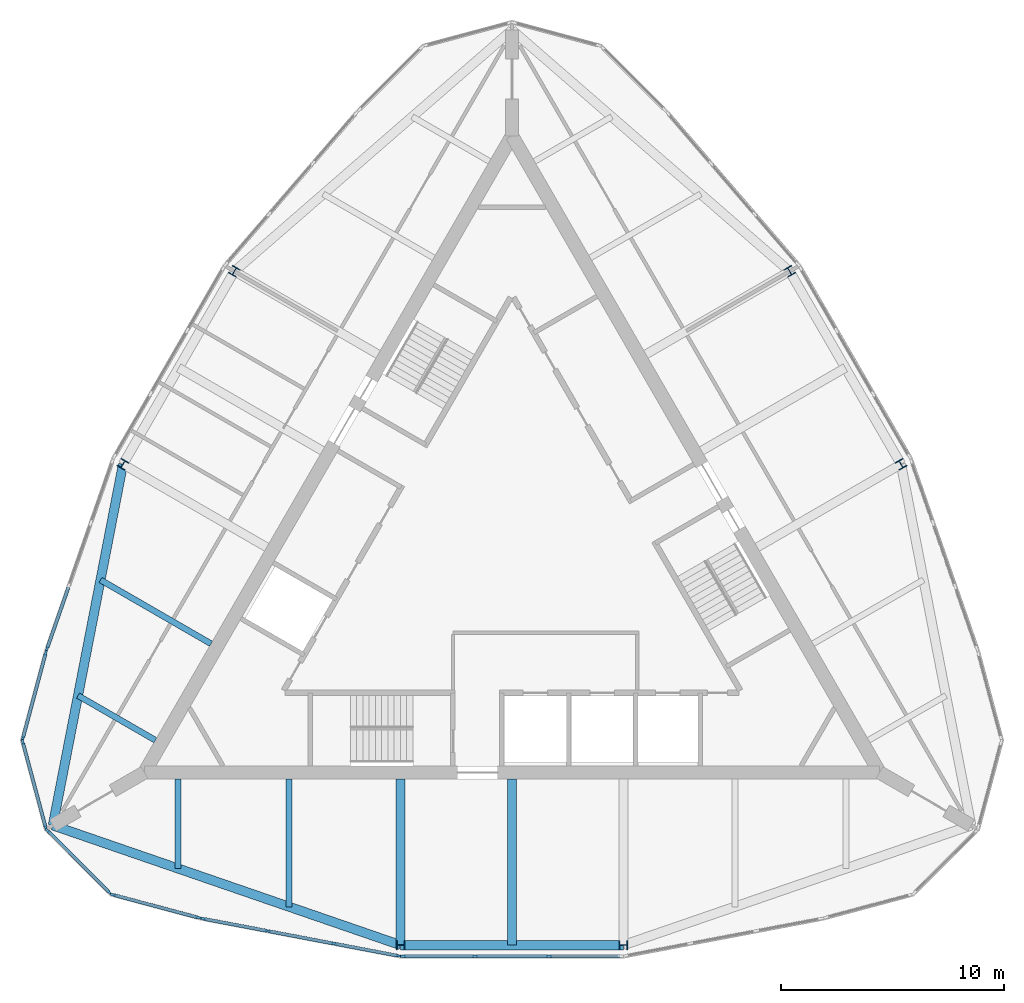
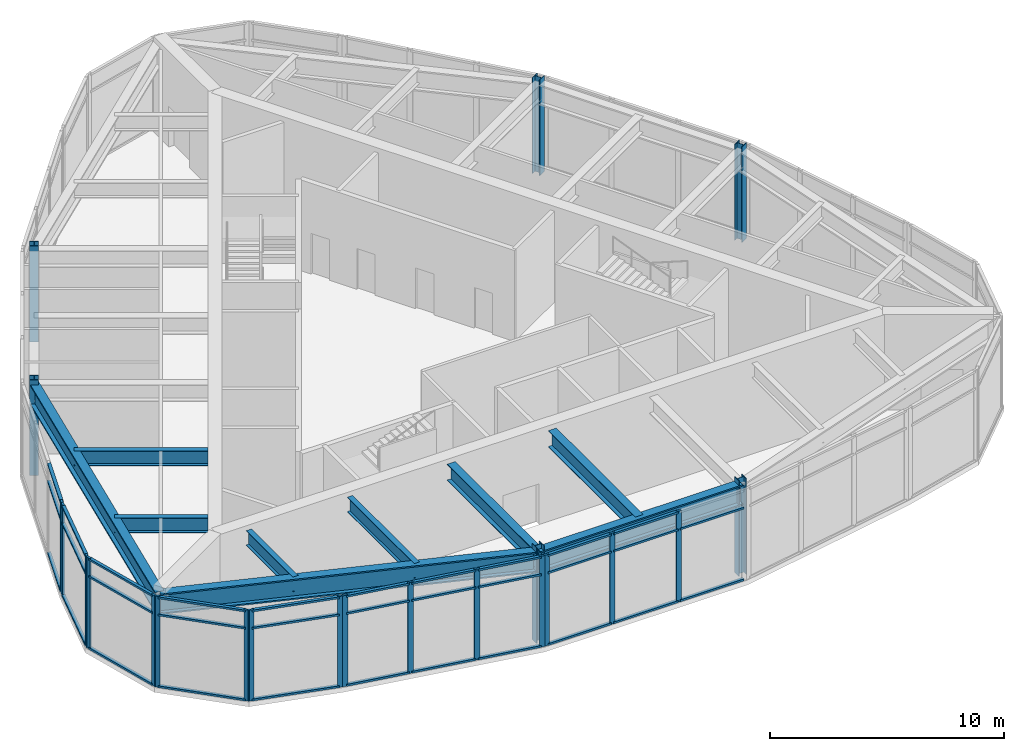
# One storey, part 1 of 9: 48 members, 9 beams, 6 columns, 7 elements without a shape of their own.
"""IFC4 building model written with IfcOpenShell, lengths in metres."""

from ifc_helpers import new_model, si_unit, direction, frame, origin, origin_2d, place, context, subcontext, project, spatial, rectangle, i_section, extrude, material, material_profile, profile_set, type_object, element, aggregate, save


model = new_model("IFC4")

# Units and contexts
model_context = context("Model", 3, precision=1e-05, world=origin(), true_north=direction((0.0, 1.0)))
body_context = subcontext(model_context, "Body", "Model", "MODEL_VIEW")
ifc_project = project(units=[si_unit("LENGTHUNIT", "METRE"), si_unit("AREAUNIT", "SQUARE_METRE"), si_unit("VOLUMEUNIT", "CUBIC_METRE"), si_unit("PLANEANGLEUNIT", "RADIAN"), si_unit("MASSUNIT", "GRAM", prefix="KILO")], contexts=[model_context])

# Site, building, storey
site_placement = place(None, origin())
site = spatial("IfcSite", under=ifc_project, at=site_placement, CompositionType="ELEMENT")
building_placement = place(site_placement, origin())
building = spatial("IfcBuilding", under=site, at=building_placement, Name="Trikona Tower", CompositionType="ELEMENT")
storey_placement = place(building_placement, frame((0.0, 0.0, 292.800048828125)))
storey = spatial("IfcBuildingStorey", under=building, at=storey_placement, Name="L76", CompositionType="ELEMENT", Elevation=292.800048828125)

# Columns
ifc_material_1 = material(Name="Steel ASTM A992 Grade 50", Category="steel")
ifc_material_profile_1 = material_profile(ifc_material_1, i_section(OverallWidth=0.398681640625, OverallDepth=0.385986328125, WebThickness=0.02099609375, FlangeThickness=0.033203125, at=origin_2d()), Name="W14X176")
ifc_profile_set_1 = profile_set([ifc_material_profile_1], Name="Steel ASTM A992 Grade 50")
column_type = type_object("IfcColumnType", Name="Steel column W14x176", PredefinedType="COLUMN", material=ifc_profile_set_1)
for number, where, z_axis, x_axis, name in (
    (1, (-5.0, -17.27587890625, 0.0), (0.0, 0.0, 1.0), (0.0, -1.0, 0.0), "Column F0m5"),
    (2, (5.0, -17.27587890625, 0.0), (0.0, 0.0, 1.0), (0.0, -1.0, 0.0), "Column F0p5"),
    (3, (17.461181640625, 4.307861328125, 0.0), (0.0, 0.0, 1.0), (0.866025403784, 0.5, 0.0), "Column F1m5"),
    (4, (12.461181640625, 12.968017578125, 0.0), (0.0, 0.0, 1.0), (0.866025403784, 0.5, 0.0), "Column F1p5"),
    (5, (-12.461181640625, 12.968017578125, 0.0), (0.0, 0.0, 1.0), (-0.866025403784, 0.5, 0.0), "Column F2m5"),
    (6, (-17.461181640625, 4.307861328125, 0.0), (0.0, 0.0, 1.0), (-0.866025403784, 0.5, 0.0), "Column F2p5"),
):
    element("IfcColumn", number, at=place(storey_placement, frame(where, z_axis=z_axis, x_axis=x_axis)), inside=storey, type_object=column_type, Name=name, PredefinedType="COLUMN", context=body_context, shape_type="SweptSolid", body=[
        extrude(i_section(OverallWidth=0.398681640625, OverallDepth=0.385986328125, WebThickness=0.02099609375, FlangeThickness=0.033203125, at=origin_2d()), origin(), (0.0, 0.0, 1.0), 5.0),
    ])

# Curtain wall, members
ifc_material_2 = material(Name="Aluminium curtain wall system", Category="aluminium")
curtain_wall_type = type_object("IfcCurtainWallType", Name="Curtain wall OB", PredefinedType="NOTDEFINED", material=ifc_material_2)
curtain_wall_1_placement = place(storey_placement, origin())
curtain_wall_1 = element("IfcCurtainWall", 7, at=curtain_wall_1_placement, inside=storey, type_object=curtain_wall_type, Name="Curtain wall OB L76", PredefinedType="NOTDEFINED")
ifc_material_3 = material(Name="Aluminium mullion, pale anodised", Category="aluminium")
ifc_material_profile_2 = material_profile(ifc_material_3, rectangle(XDim=0.10009765625, YDim=0.25, at=origin_2d()), Name="MUL-OB")
ifc_profile_set_2 = profile_set([ifc_material_profile_2], Name="Aluminium mullion, pale anodised")
member_type_1 = type_object("IfcMemberType", Name="Mullion OB 100x250", PredefinedType="MULLION", material=ifc_profile_set_2)
member_1_placement = place(storey_placement, frame((-13.873291015625, -16.088134765625, 0.0), z_axis=(0.0, 0.0, 1.0), x_axis=(0.186660752571, 0.982424431419, 0.0)))
member_1 = element("IfcMember", 8, at=member_1_placement, type_object=member_type_1, Name="CW-OB mullion 1", PredefinedType="MULLION", context=body_context, shape_type="SweptSolid", body=[
    extrude(rectangle(XDim=0.10009765625, YDim=0.25, at=origin_2d()), origin(), (0.0, 0.0, 1.0), 4.75),
])
member_2_placement = place(storey_placement, frame((-10.961669921875, -16.641357421875, 0.0), z_axis=(0.0, 0.0, 1.0), x_axis=(0.186660752571, 0.982424431419, 0.0)))
member_2 = element("IfcMember", 9, at=member_2_placement, type_object=member_type_1, Name="CW-OB mullion 2", PredefinedType="MULLION", context=body_context, shape_type="SweptSolid", body=[
    extrude(rectangle(XDim=0.10009765625, YDim=0.25, at=origin_2d()), origin(), (0.0, 0.0, 1.0), 4.75),
])
member_3_placement = place(storey_placement, frame((-8.0009765625, -17.203857421875, 0.0), z_axis=(0.0, 0.0, 1.0), x_axis=(0.186660752571, 0.982424431419, 0.0)))
member_3 = element("IfcMember", 10, at=member_3_placement, type_object=member_type_1, Name="CW-OB mullion 3", PredefinedType="MULLION", context=body_context, shape_type="SweptSolid", body=[
    extrude(rectangle(XDim=0.10009765625, YDim=0.25, at=origin_2d()), origin(), (0.0, 0.0, 1.0), 4.75),
])
member_4_placement = place(storey_placement, frame((-5.08935546875, -17.757080078125, 0.0), z_axis=(0.0, 0.0, 1.0), x_axis=(0.186660752571, 0.982424431419, 0.0)))
member_4 = element("IfcMember", 11, at=member_4_placement, type_object=member_type_1, Name="CW-OB mullion 4", PredefinedType="MULLION", context=body_context, shape_type="SweptSolid", body=[
    extrude(rectangle(XDim=0.10009765625, YDim=0.25, at=origin_2d()), origin(), (0.0, 0.0, 1.0), 4.75),
])

curtain_wall_2_placement = place(storey_placement, origin())
curtain_wall_2 = element("IfcCurtainWall", 12, at=curtain_wall_2_placement, inside=storey, type_object=curtain_wall_type, Name="Curtain wall OB L76", PredefinedType="NOTDEFINED")
member_5_placement = place(storey_placement, frame((-4.889892578125, -17.77587890625, 0.0), z_axis=(0.0, 0.0, 1.0), x_axis=(0.0, 1.0, 0.0)))
member_5 = element("IfcMember", 13, at=member_5_placement, type_object=member_type_1, Name="CW-OB mullion 1", PredefinedType="MULLION", context=body_context, shape_type="SweptSolid", body=[
    extrude(rectangle(XDim=0.10009765625, YDim=0.25, at=origin_2d()), origin(), (0.0, 0.0, 1.0), 4.75),
])
member_6_placement = place(storey_placement, frame((-1.646728515625, -17.77587890625, 0.0), z_axis=(0.0, 0.0, 1.0), x_axis=(0.0, 1.0, 0.0)))
member_6 = element("IfcMember", 14, at=member_6_placement, type_object=member_type_1, Name="CW-OB mullion 2", PredefinedType="MULLION", context=body_context, shape_type="SweptSolid", body=[
    extrude(rectangle(XDim=0.10009765625, YDim=0.25, at=origin_2d()), origin(), (0.0, 0.0, 1.0), 4.75),
])
member_7_placement = place(storey_placement, frame((1.646728515625, -17.77587890625, 0.0), z_axis=(0.0, 0.0, 1.0), x_axis=(0.0, 1.0, 0.0)))
member_7 = element("IfcMember", 15, at=member_7_placement, type_object=member_type_1, Name="CW-OB mullion 3", PredefinedType="MULLION", context=body_context, shape_type="SweptSolid", body=[
    extrude(rectangle(XDim=0.10009765625, YDim=0.25, at=origin_2d()), origin(), (0.0, 0.0, 1.0), 4.75),
])

# Curtain wall, member
curtain_wall_3_placement = place(storey_placement, origin())
curtain_wall_3 = element("IfcCurtainWall", 16, at=curtain_wall_3_placement, inside=storey, type_object=curtain_wall_type, Name="Curtain wall OB L76", PredefinedType="NOTDEFINED")
member_8_placement = place(storey_placement, frame((-20.869384765625, -3.970703125, 0.0), z_axis=(0.0, 0.0, 1.0), x_axis=(0.944137368145, -0.329552165935, 0.0)))
member_8 = element("IfcMember", 17, at=member_8_placement, type_object=member_type_1, Name="CW-OB mullion 4", PredefinedType="MULLION", context=body_context, shape_type="SweptSolid", body=[
    extrude(rectangle(XDim=0.10009765625, YDim=0.25, at=origin_2d()), origin(), (0.0, 0.0, 1.0), 4.75),
])

# Curtain wall, members
curtain_wall_4_placement = place(storey_placement, origin())
curtain_wall_4 = element("IfcCurtainWall", 18, at=curtain_wall_4_placement, inside=storey, type_object=curtain_wall_type, Name="Curtain wall OB L76", PredefinedType="NOTDEFINED")
member_9_placement = place(storey_placement, frame((-20.931884765625, -4.173583984375, 0.0), z_axis=(0.0, 0.0, 1.0), x_axis=(0.965921800259, -0.258834069983, 0.0)))
member_9 = element("IfcMember", 19, at=member_9_placement, type_object=member_type_1, Name="CW-OB mullion 1", PredefinedType="MULLION", context=body_context, shape_type="SweptSolid", body=[
    extrude(rectangle(XDim=0.10009765625, YDim=0.25, at=origin_2d()), origin(), (0.0, 0.0, 1.0), 4.75),
])
member_10_placement = place(storey_placement, frame((-21.957763671875, -8.00244140625, 0.0), z_axis=(0.0, 0.0, 1.0), x_axis=(0.965921800259, -0.258834069983, 0.0)))
member_10 = element("IfcMember", 20, at=member_10_placement, type_object=member_type_1, Name="CW-OB mullion 2", PredefinedType="MULLION", context=body_context, shape_type="SweptSolid", body=[
    extrude(rectangle(XDim=0.10009765625, YDim=0.25, at=origin_2d()), origin(), (0.0, 0.0, 1.0), 4.75),
])

curtain_wall_5_placement = place(storey_placement, origin())
curtain_wall_5 = element("IfcCurtainWall", 21, at=curtain_wall_5_placement, inside=storey, type_object=curtain_wall_type, Name="Curtain wall OB L76", PredefinedType="NOTDEFINED")
member_11_placement = place(storey_placement, frame((-21.957763671875, -8.163330078125, 0.0), z_axis=(0.0, 0.0, 1.0), x_axis=(0.965923448705, 0.258827918204, 0.0)))
member_11 = element("IfcMember", 22, at=member_11_placement, type_object=member_type_1, Name="CW-OB mullion 1", PredefinedType="MULLION", context=body_context, shape_type="SweptSolid", body=[
    extrude(rectangle(XDim=0.10009765625, YDim=0.25, at=origin_2d()), origin(), (0.0, 0.0, 1.0), 4.75),
])
member_12_placement = place(storey_placement, frame((-20.931884765625, -11.9921875, 0.0), z_axis=(0.0, 0.0, 1.0), x_axis=(0.965923448705, 0.258827918204, 0.0)))
member_12 = element("IfcMember", 23, at=member_12_placement, type_object=member_type_1, Name="CW-OB mullion 2", PredefinedType="MULLION", context=body_context, shape_type="SweptSolid", body=[
    extrude(rectangle(XDim=0.10009765625, YDim=0.25, at=origin_2d()), origin(), (0.0, 0.0, 1.0), 4.75),
])

curtain_wall_6_placement = place(storey_placement, origin())
curtain_wall_6 = element("IfcCurtainWall", 24, at=curtain_wall_6_placement, inside=storey, type_object=curtain_wall_type, Name="Curtain wall OB L76", PredefinedType="NOTDEFINED")
member_13_placement = place(storey_placement, frame((-20.8515625, -12.13134765625, 0.0), z_axis=(0.0, 0.0, 1.0), x_axis=(0.707106781187, 0.707106781187, 0.0)))
member_13 = element("IfcMember", 25, at=member_13_placement, type_object=member_type_1, Name="CW-OB mullion 1", PredefinedType="MULLION", context=body_context, shape_type="SweptSolid", body=[
    extrude(rectangle(XDim=0.10009765625, YDim=0.25, at=origin_2d()), origin(), (0.0, 0.0, 1.0), 4.75),
])
member_14_placement = place(storey_placement, frame((-18.048583984375, -14.934326171875, 0.0), z_axis=(0.0, 0.0, 1.0), x_axis=(0.707106781187, 0.707106781187, 0.0)))
member_14 = element("IfcMember", 26, at=member_14_placement, type_object=member_type_1, Name="CW-OB mullion 2", PredefinedType="MULLION", context=body_context, shape_type="SweptSolid", body=[
    extrude(rectangle(XDim=0.10009765625, YDim=0.25, at=origin_2d()), origin(), (0.0, 0.0, 1.0), 4.75),
])

curtain_wall_7_placement = place(storey_placement, origin())
curtain_wall_7 = element("IfcCurtainWall", 27, at=curtain_wall_7_placement, inside=storey, type_object=curtain_wall_type, Name="Curtain wall OB L76", PredefinedType="NOTDEFINED")
member_15_placement = place(storey_placement, frame((-17.909423828125, -15.0146484375, 0.0), z_axis=(0.0, 0.0, 1.0), x_axis=(0.258827918204, 0.965923448705, 0.0)))
member_15 = element("IfcMember", 28, at=member_15_placement, type_object=member_type_1, Name="CW-OB mullion 1", PredefinedType="MULLION", context=body_context, shape_type="SweptSolid", body=[
    extrude(rectangle(XDim=0.10009765625, YDim=0.25, at=origin_2d()), origin(), (0.0, 0.0, 1.0), 4.75),
])
member_16_placement = place(storey_placement, frame((-14.080322265625, -16.040771484375, 0.0), z_axis=(0.0, 0.0, 1.0), x_axis=(0.258827918204, 0.965923448705, 0.0)))
member_16 = element("IfcMember", 29, at=member_16_placement, type_object=member_type_1, Name="CW-OB mullion 2", PredefinedType="MULLION", context=body_context, shape_type="SweptSolid", body=[
    extrude(rectangle(XDim=0.10009765625, YDim=0.25, at=origin_2d()), origin(), (0.0, 0.0, 1.0), 4.75),
])

# Beams
ifc_material_4 = material(Name="Steel ASTM A992 Grade 50", Category="steel")
ifc_material_profile_3 = material_profile(ifc_material_4, i_section(OverallWidth=0.2666015625, OverallDepth=0.76953125, WebThickness=0.015625, FlangeThickness=0.025390625, at=origin_2d()), Name="W30X132")
ifc_profile_set_3 = profile_set([ifc_material_profile_3], Name="Steel ASTM A992 Grade 50")
beam_type_1 = type_object("IfcBeamType", Name="Steel beam W30x132 (wedge)", PredefinedType="BEAM", material=ifc_profile_set_3)
beam_1_placement = place(storey_placement, frame((-15.0, -9.826416015625, 4.365234375), z_axis=(0.0, -1.0, 0.0), x_axis=(1.0, 0.0, 0.0)))
element("IfcBeam", 30, at=beam_1_placement, inside=storey, type_object=beam_type_1, Name="Floor beam L77 F1 u-15", PredefinedType="BEAM", context=body_context, shape_type="SweptSolid", body=[
    extrude(i_section(OverallWidth=0.2666015625, OverallDepth=0.76953125, WebThickness=0.015625, FlangeThickness=0.025390625, at=origin_2d()), origin(), (0.0, 0.0, 1.0), 4.005126953125),
])
beam_2_placement = place(storey_placement, frame((-10.0, -9.826416015625, 4.365234375), z_axis=(0.0, -1.0, 0.0), x_axis=(1.0, 0.0, 0.0)))
element("IfcBeam", 31, at=beam_2_placement, inside=storey, type_object=beam_type_1, Name="Floor beam L77 F1 u-10", PredefinedType="BEAM", context=body_context, shape_type="SweptSolid", body=[
    extrude(i_section(OverallWidth=0.2666015625, OverallDepth=0.76953125, WebThickness=0.015625, FlangeThickness=0.025390625, at=origin_2d()), origin(), (0.0, 0.0, 1.0), 5.727294921875),
])
beam_3_placement = place(storey_placement, frame((-13.509765625, -3.7470703125, 4.365234375), z_axis=(-0.866025872957, 0.499999187369, 0.0), x_axis=(-0.499999187369, -0.866025872957, 0.0)))
element("IfcBeam", 32, at=beam_3_placement, inside=storey, type_object=beam_type_1, Name="Floor beam L77 F3 u10", PredefinedType="BEAM", context=body_context, shape_type="SweptSolid", body=[
    extrude(i_section(OverallWidth=0.2666015625, OverallDepth=0.76953125, WebThickness=0.015625, FlangeThickness=0.025390625, at=origin_2d()), origin(), (0.0, 0.0, 1.0), 5.7275390625),
])
beam_4_placement = place(storey_placement, frame((-16.009765625, -8.077392578125, 4.365234375), z_axis=(-0.866025209122, 0.500000337164, 0.0), x_axis=(-0.500000337164, -0.866025209122, 0.0)))
element("IfcBeam", 33, at=beam_4_placement, inside=storey, type_object=beam_type_1, Name="Floor beam L77 F3 u15", PredefinedType="BEAM", context=body_context, shape_type="SweptSolid", body=[
    extrude(i_section(OverallWidth=0.2666015625, OverallDepth=0.76953125, WebThickness=0.015625, FlangeThickness=0.025390625, at=origin_2d()), origin(), (0.0, 0.0, 1.0), 4.00537109375),
])
ifc_material_5 = material(Name="Steel ASTM A992 Grade 50", Category="steel")
ifc_material_profile_4 = material_profile(ifc_material_5, i_section(OverallWidth=0.398681640625, OverallDepth=0.85595703125, WebThickness=0.01806640625, FlangeThickness=0.029296875, at=origin_2d()), Name="W33X201")
ifc_profile_set_4 = profile_set([ifc_material_profile_4], Name="Steel ASTM A992 Grade 50")
beam_type_2 = type_object("IfcBeamType", Name="Steel beam W33x201 (top)", PredefinedType="BEAM", material=ifc_profile_set_4)
for number, where, z_axis, x_axis, name in (
    (34, (-5.0, -9.826416015625, 4.322021484375), (0.0, -1.0, 0.0), (1.0, 0.0, 0.0), "Floor beam L77 F1 u-5"),
    (35, (0.0, -9.826416015625, 4.322021484375), (0.0, -1.0, 0.0), (1.0, 0.0, 0.0), "Floor beam L77 F1 u0"),
):
    element("IfcBeam", number, at=place(storey_placement, frame(where, z_axis=z_axis, x_axis=x_axis)), inside=storey, type_object=beam_type_2, Name=name, PredefinedType="BEAM", context=body_context, shape_type="SweptSolid", body=[
        extrude(i_section(OverallWidth=0.398681640625, OverallDepth=0.85595703125, WebThickness=0.01806640625, FlangeThickness=0.029296875, at=origin_2d()), origin(), (0.0, 0.0, 1.0), 7.449462890625),
    ])
ifc_material_6 = material(Name="Steel ASTM A992 Grade 50", Category="steel")
ifc_material_profile_5 = material_profile(ifc_material_6, i_section(OverallWidth=0.41650390625, OverallDepth=1.0693359375, WebThickness=0.0390625, FlangeThickness=0.070068359375, at=origin_2d()), Name="W40X503")
ifc_profile_set_5 = profile_set([ifc_material_profile_5], Name="Steel ASTM A992 Grade 50")
beam_type_3 = type_object("IfcBeamType", Name="Steel beam W40x503 (crown spandrel)", PredefinedType="SPANDREL", material=ifc_profile_set_5)
beam_5_placement = place(storey_placement, frame((-20.6103515625, -11.8994140625, 4.21533203125), z_axis=(0.945492661054, -0.325643406033, 0.0), x_axis=(0.325643406033, 0.945492661054, 0.0)))
element("IfcBeam", 36, at=beam_5_placement, inside=storey, type_object=beam_type_3, Name="Spandrel beam L77 F1-1", PredefinedType="SPANDREL", context=body_context, shape_type="SweptSolid", body=[
    extrude(i_section(OverallWidth=0.41650390625, OverallDepth=1.0693359375, WebThickness=0.0390625, FlangeThickness=0.070068359375, at=origin_2d()), origin(), (0.0, 0.0, 1.0), 16.51025390625),
])
beam_6_placement = place(storey_placement, frame((-5.0, -17.27587890625, 4.21533203125), z_axis=(1.0, 0.0, 0.0), x_axis=(0.0, 1.0, 0.0)))
element("IfcBeam", 37, at=beam_6_placement, inside=storey, type_object=beam_type_3, Name="Spandrel beam L77 F1-2", PredefinedType="SPANDREL", context=body_context, shape_type="SweptSolid", body=[
    extrude(i_section(OverallWidth=0.41650390625, OverallDepth=1.0693359375, WebThickness=0.0390625, FlangeThickness=0.070068359375, at=origin_2d()), origin(), (0.0, 0.0, 1.0), 10.0),
])
beam_7_placement = place(storey_placement, frame((-17.461181640625, 4.307861328125, 4.21533203125), z_axis=(-0.190738651496, -0.981640854297, 0.0), x_axis=(0.981640854297, -0.190738651496, 0.0)))
element("IfcBeam", 38, at=beam_7_placement, inside=storey, type_object=beam_type_3, Name="Spandrel beam L77 F3-3", PredefinedType="SPANDREL", context=body_context, shape_type="SweptSolid", body=[
    extrude(i_section(OverallWidth=0.41650390625, OverallDepth=1.0693359375, WebThickness=0.0390625, FlangeThickness=0.070068359375, at=origin_2d()), origin(), (0.0, 0.0, 1.0), 16.510498046875),
])

# Member
ifc_material_7 = material(Name="Aluminium transom, pale anodised", Category="aluminium")
ifc_material_profile_6 = material_profile(ifc_material_7, rectangle(XDim=0.14990234375, YDim=0.10009765625, at=origin_2d()), Name="TRN-OB")
ifc_profile_set_6 = profile_set([ifc_material_profile_6], Name="Aluminium transom, pale anodised")
member_type_2 = type_object("IfcMemberType", Name="Transom OB 100x150", PredefinedType="USERDEFINED", material=ifc_profile_set_6)
member_17_placement = place(storey_placement, frame((-13.82421875, -16.097412109375, 0.050048828125), z_axis=(0.982417572475, -0.186696848639, 0.0), x_axis=(0.186696848639, 0.982417572475, 0.0)))
member_17 = element("IfcMember", 39, at=member_17_placement, type_object=member_type_2, Name="CW-OB transom 1.1", ObjectType="TRANSOM", PredefinedType="USERDEFINED", context=body_context, shape_type="SweptSolid", body=[
    extrude(rectangle(XDim=0.14990234375, YDim=0.10009765625, at=origin_2d()), origin(), (0.0, 0.0, 1.0), 2.86376953125),
])

member_18_placement = place(storey_placement, frame((-13.82421875, -16.097412109375, 3.800048828125), z_axis=(0.982417572475, -0.186696848639, 0.0), x_axis=(0.186696848639, 0.982417572475, 0.0)))
member_18 = element("IfcMember", 40, at=member_18_placement, type_object=member_type_2, Name="CW-OB transom 1.2", ObjectType="TRANSOM", PredefinedType="USERDEFINED", context=body_context, shape_type="SweptSolid", body=[
    extrude(rectangle(XDim=0.14990234375, YDim=0.10009765625, at=origin_2d()), origin(), (0.0, 0.0, 1.0), 2.86376953125),
])

member_19_placement = place(storey_placement, frame((-13.82421875, -16.097412109375, 4.699951171875), z_axis=(0.982417572475, -0.186696848639, 0.0), x_axis=(0.186696848639, 0.982417572475, 0.0)))
member_19 = element("IfcMember", 41, at=member_19_placement, type_object=member_type_2, Name="CW-OB transom 1.3", ObjectType="TRANSOM", PredefinedType="USERDEFINED", context=body_context, shape_type="SweptSolid", body=[
    extrude(rectangle(XDim=0.14990234375, YDim=0.10009765625, at=origin_2d()), origin(), (0.0, 0.0, 1.0), 2.86376953125),
])

member_20_placement = place(storey_placement, frame((-10.91259765625, -16.650634765625, 0.050048828125), z_axis=(0.982420610208, -0.186680863074, 0.0), x_axis=(0.186680863074, 0.982420610208, 0.0)))
member_20 = element("IfcMember", 42, at=member_20_placement, type_object=member_type_2, Name="CW-OB transom 2.1", ObjectType="TRANSOM", PredefinedType="USERDEFINED", context=body_context, shape_type="SweptSolid", body=[
    extrude(rectangle(XDim=0.14990234375, YDim=0.10009765625, at=origin_2d()), origin(), (0.0, 0.0, 1.0), 2.913818359375),
])

member_21_placement = place(storey_placement, frame((-10.91259765625, -16.650634765625, 3.800048828125), z_axis=(0.982420610208, -0.186680863074, 0.0), x_axis=(0.186680863074, 0.982420610208, 0.0)))
member_21 = element("IfcMember", 43, at=member_21_placement, type_object=member_type_2, Name="CW-OB transom 2.2", ObjectType="TRANSOM", PredefinedType="USERDEFINED", context=body_context, shape_type="SweptSolid", body=[
    extrude(rectangle(XDim=0.14990234375, YDim=0.10009765625, at=origin_2d()), origin(), (0.0, 0.0, 1.0), 2.913818359375),
])

member_22_placement = place(storey_placement, frame((-10.91259765625, -16.650634765625, 4.699951171875), z_axis=(0.982420610208, -0.186680863074, 0.0), x_axis=(0.186680863074, 0.982420610208, 0.0)))
member_22 = element("IfcMember", 44, at=member_22_placement, type_object=member_type_2, Name="CW-OB transom 2.3", ObjectType="TRANSOM", PredefinedType="USERDEFINED", context=body_context, shape_type="SweptSolid", body=[
    extrude(rectangle(XDim=0.14990234375, YDim=0.10009765625, at=origin_2d()), origin(), (0.0, 0.0, 1.0), 2.913818359375),
])

member_23_placement = place(storey_placement, frame((-7.951904296875, -17.213134765625, 0.050048828125), z_axis=(0.982417572475, -0.186696848639, 0.0), x_axis=(0.186696848639, 0.982417572475, 0.0)))
member_23 = element("IfcMember", 45, at=member_23_placement, type_object=member_type_2, Name="CW-OB transom 3.1", ObjectType="TRANSOM", PredefinedType="USERDEFINED", context=body_context, shape_type="SweptSolid", body=[
    extrude(rectangle(XDim=0.14990234375, YDim=0.10009765625, at=origin_2d()), origin(), (0.0, 0.0, 1.0), 2.86376953125),
])

member_24_placement = place(storey_placement, frame((-7.951904296875, -17.213134765625, 3.800048828125), z_axis=(0.982417572475, -0.186696848639, 0.0), x_axis=(0.186696848639, 0.982417572475, 0.0)))
member_24 = element("IfcMember", 46, at=member_24_placement, type_object=member_type_2, Name="CW-OB transom 3.2", ObjectType="TRANSOM", PredefinedType="USERDEFINED", context=body_context, shape_type="SweptSolid", body=[
    extrude(rectangle(XDim=0.14990234375, YDim=0.10009765625, at=origin_2d()), origin(), (0.0, 0.0, 1.0), 2.86376953125),
])

member_25_placement = place(storey_placement, frame((-7.951904296875, -17.213134765625, 4.699951171875), z_axis=(0.982417572475, -0.186696848639, 0.0), x_axis=(0.186696848639, 0.982417572475, 0.0)))
member_25 = element("IfcMember", 47, at=member_25_placement, type_object=member_type_2, Name="CW-OB transom 3.3", ObjectType="TRANSOM", PredefinedType="USERDEFINED", context=body_context, shape_type="SweptSolid", body=[
    extrude(rectangle(XDim=0.14990234375, YDim=0.10009765625, at=origin_2d()), origin(), (0.0, 0.0, 1.0), 2.86376953125),
])

aggregate(curtain_wall_1, [member_1, member_2, member_3, member_4, member_17, member_18, member_19, member_20, member_21, member_22, member_23, member_24, member_25])

member_26_placement = place(storey_placement, frame((-4.840087890625, -17.77587890625, 0.050048828125), z_axis=(1.0, 0.0, 0.0), x_axis=(0.0, 1.0, 0.0)))
member_26 = element("IfcMember", 48, at=member_26_placement, type_object=member_type_2, Name="CW-OB transom 1.1", ObjectType="TRANSOM", PredefinedType="USERDEFINED", context=body_context, shape_type="SweptSolid", body=[
    extrude(rectangle(XDim=0.14990234375, YDim=0.10009765625, at=origin_2d()), origin(), (0.0, 0.0, 1.0), 3.143310546875),
])

member_27_placement = place(storey_placement, frame((-4.840087890625, -17.77587890625, 3.800048828125), z_axis=(1.0, 0.0, 0.0), x_axis=(0.0, 1.0, 0.0)))
member_27 = element("IfcMember", 49, at=member_27_placement, type_object=member_type_2, Name="CW-OB transom 1.2", ObjectType="TRANSOM", PredefinedType="USERDEFINED", context=body_context, shape_type="SweptSolid", body=[
    extrude(rectangle(XDim=0.14990234375, YDim=0.10009765625, at=origin_2d()), origin(), (0.0, 0.0, 1.0), 3.143310546875),
])

member_28_placement = place(storey_placement, frame((-4.840087890625, -17.77587890625, 4.699951171875), z_axis=(1.0, 0.0, 0.0), x_axis=(0.0, 1.0, 0.0)))
member_28 = element("IfcMember", 50, at=member_28_placement, type_object=member_type_2, Name="CW-OB transom 1.3", ObjectType="TRANSOM", PredefinedType="USERDEFINED", context=body_context, shape_type="SweptSolid", body=[
    extrude(rectangle(XDim=0.14990234375, YDim=0.10009765625, at=origin_2d()), origin(), (0.0, 0.0, 1.0), 3.143310546875),
])

member_29_placement = place(storey_placement, frame((-1.5966796875, -17.77587890625, 0.050048828125), z_axis=(1.0, 0.0, 0.0), x_axis=(0.0, 1.0, 0.0)))
member_29 = element("IfcMember", 51, at=member_29_placement, type_object=member_type_2, Name="CW-OB transom 2.1", ObjectType="TRANSOM", PredefinedType="USERDEFINED", context=body_context, shape_type="SweptSolid", body=[
    extrude(rectangle(XDim=0.14990234375, YDim=0.10009765625, at=origin_2d()), origin(), (0.0, 0.0, 1.0), 3.193359375),
])

member_30_placement = place(storey_placement, frame((-1.5966796875, -17.77587890625, 3.800048828125), z_axis=(1.0, 0.0, 0.0), x_axis=(0.0, 1.0, 0.0)))
member_30 = element("IfcMember", 52, at=member_30_placement, type_object=member_type_2, Name="CW-OB transom 2.2", ObjectType="TRANSOM", PredefinedType="USERDEFINED", context=body_context, shape_type="SweptSolid", body=[
    extrude(rectangle(XDim=0.14990234375, YDim=0.10009765625, at=origin_2d()), origin(), (0.0, 0.0, 1.0), 3.193359375),
])

member_31_placement = place(storey_placement, frame((-1.5966796875, -17.77587890625, 4.699951171875), z_axis=(1.0, 0.0, 0.0), x_axis=(0.0, 1.0, 0.0)))
member_31 = element("IfcMember", 53, at=member_31_placement, type_object=member_type_2, Name="CW-OB transom 2.3", ObjectType="TRANSOM", PredefinedType="USERDEFINED", context=body_context, shape_type="SweptSolid", body=[
    extrude(rectangle(XDim=0.14990234375, YDim=0.10009765625, at=origin_2d()), origin(), (0.0, 0.0, 1.0), 3.193359375),
])

member_32_placement = place(storey_placement, frame((1.69677734375, -17.77587890625, 0.050048828125), z_axis=(1.0, 0.0, 0.0), x_axis=(0.0, 1.0, 0.0)))
member_32 = element("IfcMember", 54, at=member_32_placement, type_object=member_type_2, Name="CW-OB transom 3.1", ObjectType="TRANSOM", PredefinedType="USERDEFINED", context=body_context, shape_type="SweptSolid", body=[
    extrude(rectangle(XDim=0.14990234375, YDim=0.10009765625, at=origin_2d()), origin(), (0.0, 0.0, 1.0), 3.143310546875),
])

member_33_placement = place(storey_placement, frame((1.69677734375, -17.77587890625, 3.800048828125), z_axis=(1.0, 0.0, 0.0), x_axis=(0.0, 1.0, 0.0)))
member_33 = element("IfcMember", 55, at=member_33_placement, type_object=member_type_2, Name="CW-OB transom 3.2", ObjectType="TRANSOM", PredefinedType="USERDEFINED", context=body_context, shape_type="SweptSolid", body=[
    extrude(rectangle(XDim=0.14990234375, YDim=0.10009765625, at=origin_2d()), origin(), (0.0, 0.0, 1.0), 3.143310546875),
])

aggregate(curtain_wall_2, [member_5, member_6, member_7, member_26, member_27, member_28, member_29, member_30, member_31, member_32, member_33])

member_34_placement = place(storey_placement, frame((-19.9091796875, -1.2197265625, 0.050048828125), z_axis=(-0.329522402008, -0.944147756749, 0.0), x_axis=(0.944147756749, -0.329522402008, 0.0)))
member_34 = element("IfcMember", 56, at=member_34_placement, type_object=member_type_2, Name="CW-OB transom 3.1", ObjectType="TRANSOM", PredefinedType="USERDEFINED", context=body_context, shape_type="SweptSolid", body=[
    extrude(rectangle(XDim=0.14990234375, YDim=0.10009765625, at=origin_2d()), origin(), (0.0, 0.0, 1.0), 2.863525390625),
])

member_35_placement = place(storey_placement, frame((-19.9091796875, -1.2197265625, 3.800048828125), z_axis=(-0.329522402008, -0.944147756749, 0.0), x_axis=(0.944147756749, -0.329522402008, 0.0)))
member_35 = element("IfcMember", 57, at=member_35_placement, type_object=member_type_2, Name="CW-OB transom 3.2", ObjectType="TRANSOM", PredefinedType="USERDEFINED", context=body_context, shape_type="SweptSolid", body=[
    extrude(rectangle(XDim=0.14990234375, YDim=0.10009765625, at=origin_2d()), origin(), (0.0, 0.0, 1.0), 2.863525390625),
])

member_36_placement = place(storey_placement, frame((-19.9091796875, -1.2197265625, 4.699951171875), z_axis=(-0.329522402008, -0.944147756749, 0.0), x_axis=(0.944147756749, -0.329522402008, 0.0)))
member_36 = element("IfcMember", 58, at=member_36_placement, type_object=member_type_2, Name="CW-OB transom 3.3", ObjectType="TRANSOM", PredefinedType="USERDEFINED", context=body_context, shape_type="SweptSolid", body=[
    extrude(rectangle(XDim=0.14990234375, YDim=0.10009765625, at=origin_2d()), origin(), (0.0, 0.0, 1.0), 2.863525390625),
])

aggregate(curtain_wall_3, [member_8, member_34, member_35, member_36])

member_37_placement = place(storey_placement, frame((-20.94482421875, -4.221923828125, 0.050048828125), z_axis=(-0.258810832585, -0.965928026789, 0.0), x_axis=(0.965928026789, -0.258810832585, 0.0)))
member_37 = element("IfcMember", 59, at=member_37_placement, type_object=member_type_2, Name="CW-OB transom 1.1", ObjectType="TRANSOM", PredefinedType="USERDEFINED", context=body_context, shape_type="SweptSolid", body=[
    extrude(rectangle(XDim=0.14990234375, YDim=0.10009765625, at=origin_2d()), origin(), (0.0, 0.0, 1.0), 3.86376953125),
])

member_38_placement = place(storey_placement, frame((-20.94482421875, -4.221923828125, 3.800048828125), z_axis=(-0.258810832585, -0.965928026789, 0.0), x_axis=(0.965928026789, -0.258810832585, 0.0)))
member_38 = element("IfcMember", 60, at=member_38_placement, type_object=member_type_2, Name="CW-OB transom 1.2", ObjectType="TRANSOM", PredefinedType="USERDEFINED", context=body_context, shape_type="SweptSolid", body=[
    extrude(rectangle(XDim=0.14990234375, YDim=0.10009765625, at=origin_2d()), origin(), (0.0, 0.0, 1.0), 3.86376953125),
])

member_39_placement = place(storey_placement, frame((-20.94482421875, -4.221923828125, 4.699951171875), z_axis=(-0.258810832585, -0.965928026789, 0.0), x_axis=(0.965928026789, -0.258810832585, 0.0)))
member_39 = element("IfcMember", 61, at=member_39_placement, type_object=member_type_2, Name="CW-OB transom 1.3", ObjectType="TRANSOM", PredefinedType="USERDEFINED", context=body_context, shape_type="SweptSolid", body=[
    extrude(rectangle(XDim=0.14990234375, YDim=0.10009765625, at=origin_2d()), origin(), (0.0, 0.0, 1.0), 3.86376953125),
])

aggregate(curtain_wall_4, [member_9, member_10, member_37, member_38, member_39])

member_40_placement = place(storey_placement, frame((-21.94482421875, -8.211669921875, 0.050048828125), z_axis=(0.25879503742, -0.965932258808, 0.0), x_axis=(0.965932258808, 0.25879503742, 0.0)))
member_40 = element("IfcMember", 62, at=member_40_placement, type_object=member_type_2, Name="CW-OB transom 1.1", ObjectType="TRANSOM", PredefinedType="USERDEFINED", context=body_context, shape_type="SweptSolid", body=[
    extrude(rectangle(XDim=0.14990234375, YDim=0.10009765625, at=origin_2d()), origin(), (0.0, 0.0, 1.0), 3.864013671875),
])

member_41_placement = place(storey_placement, frame((-21.94482421875, -8.211669921875, 3.800048828125), z_axis=(0.25879503742, -0.965932258808, 0.0), x_axis=(0.965932258808, 0.25879503742, 0.0)))
member_41 = element("IfcMember", 63, at=member_41_placement, type_object=member_type_2, Name="CW-OB transom 1.2", ObjectType="TRANSOM", PredefinedType="USERDEFINED", context=body_context, shape_type="SweptSolid", body=[
    extrude(rectangle(XDim=0.14990234375, YDim=0.10009765625, at=origin_2d()), origin(), (0.0, 0.0, 1.0), 3.864013671875),
])

member_42_placement = place(storey_placement, frame((-21.94482421875, -8.211669921875, 4.699951171875), z_axis=(0.25879503742, -0.965932258808, 0.0), x_axis=(0.965932258808, 0.25879503742, 0.0)))
member_42 = element("IfcMember", 64, at=member_42_placement, type_object=member_type_2, Name="CW-OB transom 1.3", ObjectType="TRANSOM", PredefinedType="USERDEFINED", context=body_context, shape_type="SweptSolid", body=[
    extrude(rectangle(XDim=0.14990234375, YDim=0.10009765625, at=origin_2d()), origin(), (0.0, 0.0, 1.0), 3.864013671875),
])

aggregate(curtain_wall_5, [member_11, member_12, member_40, member_41, member_42])

member_43_placement = place(storey_placement, frame((-20.816162109375, -12.166748046875, 0.050048828125), z_axis=(0.707075189238, -0.707138371723, 0.0), x_axis=(0.707138371723, 0.707075189238, 0.0)))
member_43 = element("IfcMember", 65, at=member_43_placement, type_object=member_type_2, Name="CW-OB transom 1.1", ObjectType="TRANSOM", PredefinedType="USERDEFINED", context=body_context, shape_type="SweptSolid", body=[
    extrude(rectangle(XDim=0.14990234375, YDim=0.10009765625, at=origin_2d()), origin(), (0.0, 0.0, 1.0), 3.864013671875),
])

member_44_placement = place(storey_placement, frame((-20.816162109375, -12.166748046875, 3.800048828125), z_axis=(0.707075189238, -0.707138371723, 0.0), x_axis=(0.707138371723, 0.707075189238, 0.0)))
member_44 = element("IfcMember", 66, at=member_44_placement, type_object=member_type_2, Name="CW-OB transom 1.2", ObjectType="TRANSOM", PredefinedType="USERDEFINED", context=body_context, shape_type="SweptSolid", body=[
    extrude(rectangle(XDim=0.14990234375, YDim=0.10009765625, at=origin_2d()), origin(), (0.0, 0.0, 1.0), 3.864013671875),
])

member_45_placement = place(storey_placement, frame((-20.816162109375, -12.166748046875, 4.699951171875), z_axis=(0.707075189238, -0.707138371723, 0.0), x_axis=(0.707138371723, 0.707075189238, 0.0)))
member_45 = element("IfcMember", 67, at=member_45_placement, type_object=member_type_2, Name="CW-OB transom 1.3", ObjectType="TRANSOM", PredefinedType="USERDEFINED", context=body_context, shape_type="SweptSolid", body=[
    extrude(rectangle(XDim=0.14990234375, YDim=0.10009765625, at=origin_2d()), origin(), (0.0, 0.0, 1.0), 3.864013671875),
])

aggregate(curtain_wall_6, [member_13, member_14, member_43, member_44, member_45])

member_46_placement = place(storey_placement, frame((-17.861083984375, -15.027587890625, 0.050048828125), z_axis=(0.965916463032, -0.258853986724, 0.0), x_axis=(0.258853986724, 0.965916463032, 0.0)))
member_46 = element("IfcMember", 68, at=member_46_placement, type_object=member_type_2, Name="CW-OB transom 1.1", ObjectType="TRANSOM", PredefinedType="USERDEFINED", context=body_context, shape_type="SweptSolid", body=[
    extrude(rectangle(XDim=0.14990234375, YDim=0.10009765625, at=origin_2d()), origin(), (0.0, 0.0, 1.0), 3.864013671875),
])

member_47_placement = place(storey_placement, frame((-17.861083984375, -15.027587890625, 3.800048828125), z_axis=(0.965916463032, -0.258853986724, 0.0), x_axis=(0.258853986724, 0.965916463032, 0.0)))
member_47 = element("IfcMember", 69, at=member_47_placement, type_object=member_type_2, Name="CW-OB transom 1.2", ObjectType="TRANSOM", PredefinedType="USERDEFINED", context=body_context, shape_type="SweptSolid", body=[
    extrude(rectangle(XDim=0.14990234375, YDim=0.10009765625, at=origin_2d()), origin(), (0.0, 0.0, 1.0), 3.864013671875),
])

member_48_placement = place(storey_placement, frame((-17.861083984375, -15.027587890625, 4.699951171875), z_axis=(0.965916463032, -0.258853986724, 0.0), x_axis=(0.258853986724, 0.965916463032, 0.0)))
member_48 = element("IfcMember", 70, at=member_48_placement, type_object=member_type_2, Name="CW-OB transom 1.3", ObjectType="TRANSOM", PredefinedType="USERDEFINED", context=body_context, shape_type="SweptSolid", body=[
    extrude(rectangle(XDim=0.14990234375, YDim=0.10009765625, at=origin_2d()), origin(), (0.0, 0.0, 1.0), 3.864013671875),
])

aggregate(curtain_wall_7, [member_15, member_16, member_46, member_47, member_48])

save(model, "model.ifc")
